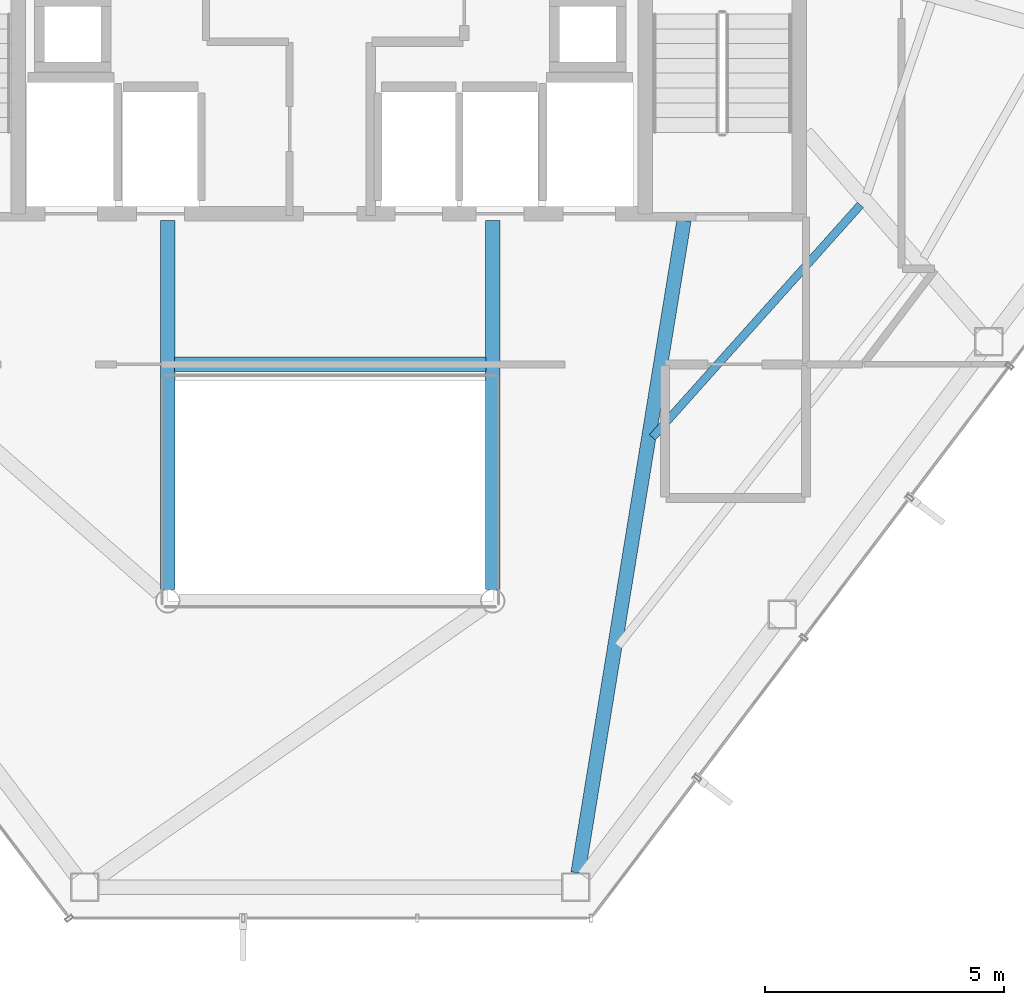
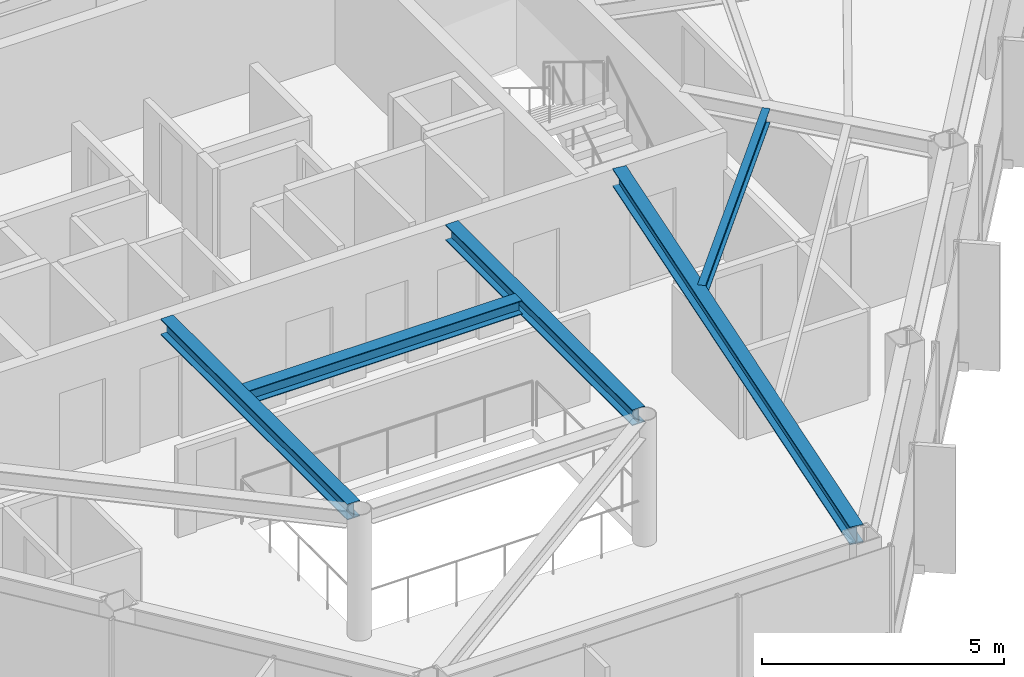
# One storey, part 7 of 25: 5 beams.
"""IFC4 building model written with IfcOpenShell, lengths in metres."""

from ifc_helpers import new_model, si_unit, direction, frame, origin, origin_2d, place, context, subcontext, project, spatial, i_section, extrude, material, material_profile, profile_set, type_object, element, save


model = new_model("IFC4")

# Units and contexts
model_context = context("Model", 3, precision=1e-05, world=origin(), true_north=direction((0.0, 1.0)))
body_context = subcontext(model_context, "Body", "Model", "MODEL_VIEW")
ifc_project = project(units=[si_unit("LENGTHUNIT", "METRE"), si_unit("AREAUNIT", "SQUARE_METRE"), si_unit("VOLUMEUNIT", "CUBIC_METRE"), si_unit("PLANEANGLEUNIT", "RADIAN"), si_unit("MASSUNIT", "GRAM", prefix="KILO")], contexts=[model_context])

# Site, building, storey
site_placement = place(None, origin())
site = spatial("IfcSite", under=ifc_project, at=site_placement, CompositionType="ELEMENT")
building_placement = place(site_placement, origin())
building = spatial("IfcBuilding", under=site, at=building_placement, Name="Zarrinselat Tower", CompositionType="ELEMENT")
storey_placement = place(building_placement, frame((0.0, 0.0, 242.760009765625)))
storey = spatial("IfcBuildingStorey", under=building, at=storey_placement, Name="L61", CompositionType="ELEMENT", Elevation=242.760009765625)

# Beams
ifc_material_1 = material(Name="Steel S355J2", Category="steel")
ifc_material_profile_1 = material_profile(ifc_material_1, i_section(OverallWidth=0.300048828125, OverallDepth=0.35009765625, WebThickness=0.010009765625, FlangeThickness=0.017578125, at=origin_2d()), Name="HEA 360")
ifc_profile_set_1 = profile_set([ifc_material_profile_1], Name="Steel S355J2")
beam_type_1 = type_object("IfcBeamType", Name="BM-HEA360", PredefinedType="LINTEL", material=ifc_profile_set_1)
beam_1_placement = place(storey_placement, frame((35.139892578125, 30.14990234375, 3.0048828125), z_axis=(1.0, 0.0, 0.0), x_axis=(0.0, 1.0, 0.0)))
element("IfcBeam", 1, at=beam_1_placement, inside=storey, type_object=beam_type_1, Name="L61 Lift Lobby Ceiling Beam", PredefinedType="LINTEL", context=body_context, shape_type="SweptSolid", body=[
    extrude(i_section(OverallWidth=0.300048828125, OverallDepth=0.35009765625, WebThickness=0.010009765625, FlangeThickness=0.017578125, at=origin_2d()), origin(), (0.0, 0.0, 1.0), 6.52001953125),
])
ifc_material_2 = material(Name="Steel S355J2", Category="steel")
ifc_material_profile_2 = material_profile(ifc_material_2, i_section(OverallWidth=0.300048828125, OverallDepth=0.39990234375, WebThickness=0.013427734375, FlangeThickness=0.02392578125, at=origin_2d()), Name="HEB 400")
ifc_profile_set_2 = profile_set([ifc_material_profile_2], Name="Steel S355J2")
beam_type_2 = type_object("IfcBeamType", Name="BM-HEB400", PredefinedType="BEAM", material=ifc_profile_set_2)
for number, where, z_axis, x_axis, name in (
    (2, (35.0, 25.43994140625, 2.97998046875), (0.0, 1.0, 0.0), (-1.0, 0.0, 0.0), "L61 Atrium Edge Beam W"),
    (3, (41.800048828125, 25.43994140625, 2.97998046875), (0.0, 1.0, 0.0), (-1.0, 0.0, 0.0), "L61 Atrium Edge Beam E"),
):
    element("IfcBeam", number, at=place(storey_placement, frame(where, z_axis=z_axis, x_axis=x_axis)), inside=storey, type_object=beam_type_2, Name=name, PredefinedType="BEAM", context=body_context, shape_type="SweptSolid", body=[
        extrude(i_section(OverallWidth=0.300048828125, OverallDepth=0.39990234375, WebThickness=0.013427734375, FlangeThickness=0.02392578125, at=origin_2d()), origin(), (0.0, 0.0, 1.0), 7.719970703125),
    ])
ifc_material_3 = material(Name="Steel S355J2", Category="steel")
ifc_material_profile_3 = material_profile(ifc_material_3, i_section(OverallWidth=0.300048828125, OverallDepth=0.449951171875, WebThickness=0.013916015625, FlangeThickness=0.02587890625, at=origin_2d()), Name="HEB 450")
ifc_profile_set_3 = profile_set([ifc_material_profile_3], Name="Steel S355J2")
beam_type_3 = type_object("IfcBeamType", Name="BM-HEB450", PredefinedType="BEAM", material=ifc_profile_set_3)
beam_2_placement = place(storey_placement, frame((43.58349609375, 19.5107421875, 2.955078125), z_axis=(0.160294795681, 0.987069186267, 0.0), x_axis=(-0.987069186267, 0.160294795681, 0.0)))
element("IfcBeam", 4, at=beam_2_placement, inside=storey, type_object=beam_type_3, Name="L61 Radial Primary Girder RG11", PredefinedType="BEAM", context=body_context, shape_type="SweptSolid", body=[
    extrude(i_section(OverallWidth=0.300048828125, OverallDepth=0.449951171875, WebThickness=0.013916015625, FlangeThickness=0.02587890625, at=origin_2d()), origin(), (0.0, 0.0, 1.0), 13.827880859375),
])
ifc_material_4 = material(Name="Steel S355J2", Category="steel")
ifc_material_profile_4 = material_profile(ifc_material_4, i_section(OverallWidth=0.169921875, OverallDepth=0.360107421875, WebThickness=0.008056640625, FlangeThickness=0.0126953125, at=origin_2d()), Name="IPE 360")
ifc_profile_set_4 = profile_set([ifc_material_profile_4], Name="Steel S355J2")
beam_type_4 = type_object("IfcBeamType", Name="BM-IPE360", PredefinedType="JOIST", material=ifc_profile_set_4)
beam_3_placement = place(storey_placement, frame((45.139892578125, 28.62353515625, 3.0), z_axis=(0.666935965388, 0.745115036804, 0.0), x_axis=(-0.745115036804, 0.666935965388, 0.0)))
element("IfcBeam", 5, at=beam_3_placement, inside=storey, type_object=beam_type_4, Name="L61 Composite Floor Joist 3-2", PredefinedType="JOIST", context=body_context, shape_type="SweptSolid", body=[
    extrude(i_section(OverallWidth=0.169921875, OverallDepth=0.360107421875, WebThickness=0.008056640625, FlangeThickness=0.0126953125, at=origin_2d()), origin(), (0.0, 0.0, 1.0), 6.523681640625),
])

save(model, "model.ifc")
